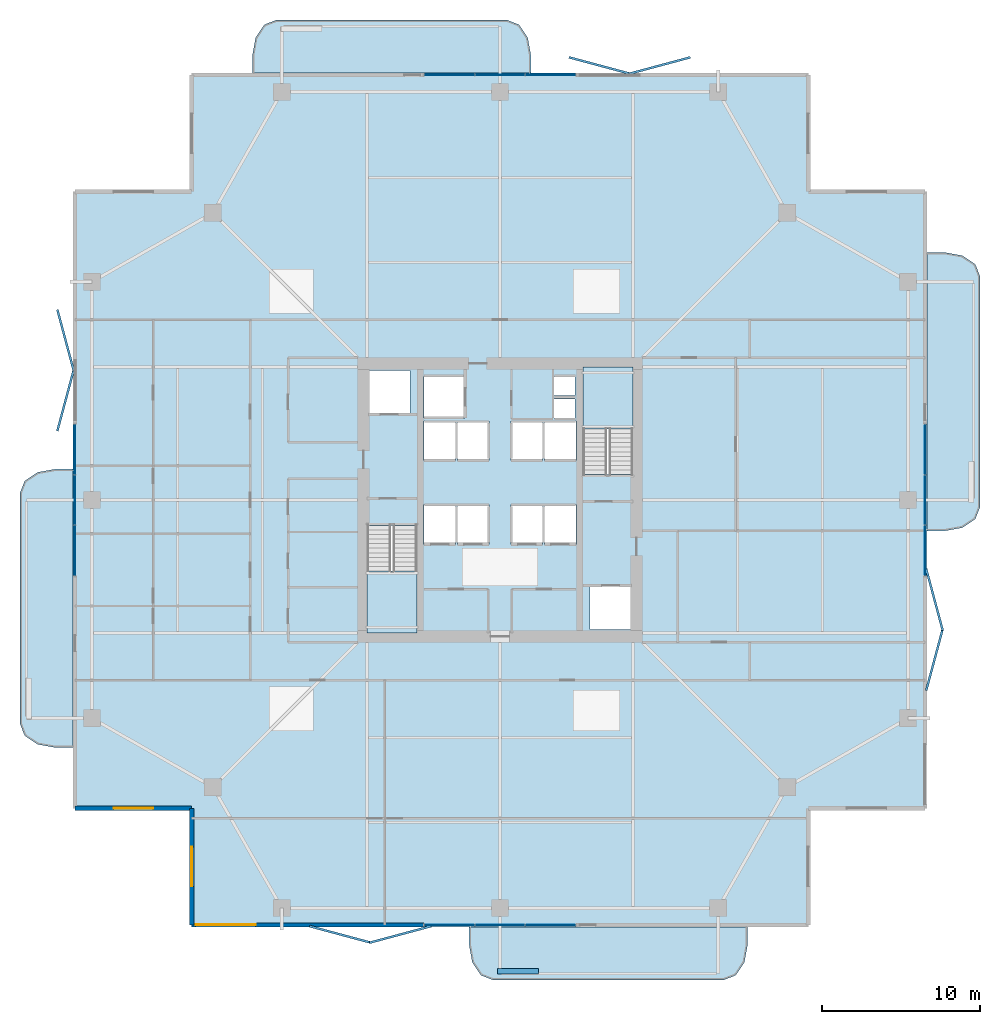
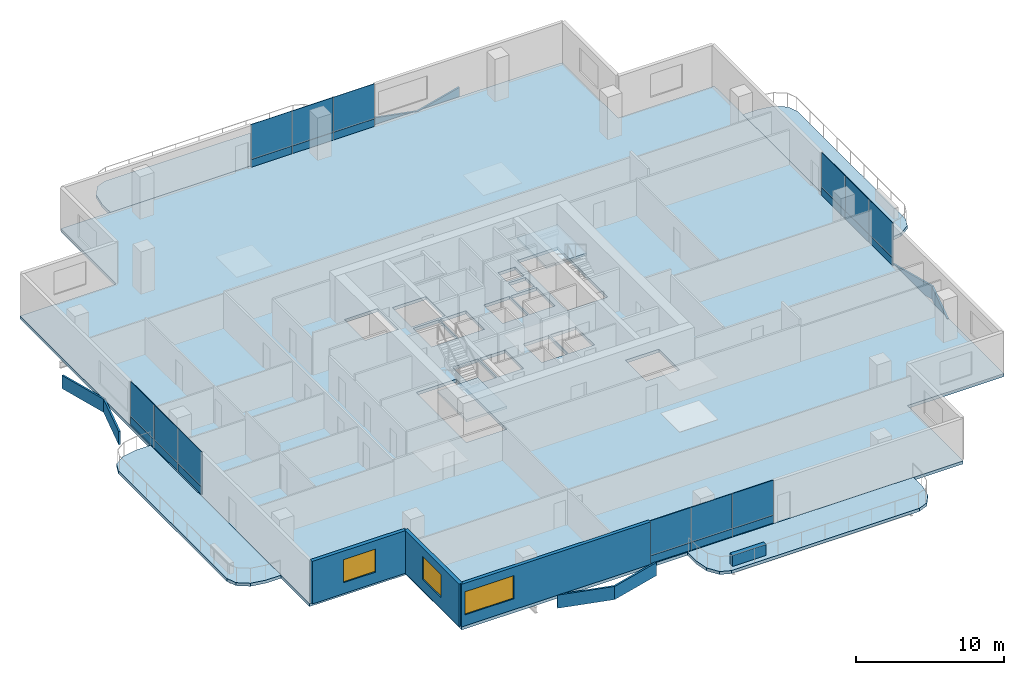
# One storey, part 16 of 24: 32 plates, 7 slabs, 4 walls, 3 windows, 3 openings, 6 elements without a shape of their own.
"""IFC4 building model written with IfcOpenShell, lengths in metres."""

from ifc_helpers import new_model, si_unit, direction, frame, frame_2d, origin, origin_2d, place, context, subcontext, project, spatial, polyline, rectangle, outline, extrude, material, layer, layer_set, type_object, element, fill, aggregate, save


model = new_model("IFC4")

# Units and contexts
model_context = context("Model", 3, precision=1e-05, world=origin(), true_north=direction((0.0, 1.0)))
body_context = subcontext(model_context, "Body", "Model", "MODEL_VIEW")
ifc_project = project(units=[si_unit("LENGTHUNIT", "METRE"), si_unit("AREAUNIT", "SQUARE_METRE"), si_unit("VOLUMEUNIT", "CUBIC_METRE"), si_unit("PLANEANGLEUNIT", "RADIAN"), si_unit("MASSUNIT", "GRAM", prefix="KILO")], contexts=[model_context])

# Site, building, storey
site_placement = place(None, origin())
site = spatial("IfcSite", under=ifc_project, at=site_placement, CompositionType="ELEMENT")
building_placement = place(site_placement, origin())
building = spatial("IfcBuilding", under=site, at=building_placement, Name="Belovzor Exchange Tower", CompositionType="ELEMENT")
storey_placement = place(building_placement, frame((0.0, 0.0, 214.949951171875)))
storey = spatial("IfcBuildingStorey", under=building, at=storey_placement, Name="L53", CompositionType="ELEMENT", Elevation=214.949951171875)

# Slab
ifc_material_1 = material(Name="Concrete C40/50", Category="concrete")
ifc_layer_1 = layer(ifc_material_1, 0.25)
ifc_layer_set_1 = layer_set([ifc_layer_1], Name="Concrete C40/50")
slab_type_1 = type_object("IfcSlabType", Name="Composite Concrete Floor Deck Slab 250", PredefinedType="FLOOR", material=ifc_layer_set_1)
slab_1_placement = place(storey_placement, frame((0.0, 0.0, -0.25)))
element("IfcSlab", 1, at=slab_1_placement, inside=storey, type_object=slab_type_1, Name="SL-F250 Structural Slab L53", PredefinedType="FLOOR", context=body_context, shape_type="SweptSolid", body=[
    extrude(outline(polyline([(9.300048828125, 1.800048828125), (48.300048828125, 1.800048828125), (48.300048828125, 9.300048828125), (55.800048828125, 9.300048828125), (55.800048828125, 48.300048828125), (48.300048828125, 48.300048828125), (48.300048828125, 55.800048828125), (9.300048828125, 55.800048828125), (9.300048828125, 48.300048828125), (1.800048828125, 48.300048828125), (1.800048828125, 9.300048828125), (9.300048828125, 9.300048828125), (9.300048828125, 1.800048828125)]), holes=[polyline([(20.39990234375, 27.175048828125), (20.39990234375, 20.39990234375), (23.550048828125, 20.39990234375), (23.550048828125, 27.175048828125), (20.39990234375, 27.175048828125)]), polyline([(37.199951171875, 30.425048828125), (37.199951171875, 37.199951171875), (34.050048828125, 37.199951171875), (34.050048828125, 30.425048828125), (37.199951171875, 30.425048828125)]), polyline([(20.5, 34.199951171875), (23.10009765625, 34.199951171875), (23.10009765625, 37.0), (20.5, 37.0), (20.5, 34.199951171875)]), polyline([(34.5, 20.60009765625), (37.10009765625, 20.60009765625), (37.10009765625, 23.39990234375), (34.5, 23.39990234375), (34.5, 20.60009765625)]), polyline([(24.0, 34.0), (26.60009765625, 34.0), (26.60009765625, 36.60009765625), (24.0, 36.60009765625), (24.0, 34.0)]), polyline([(24.0, 26.0), (26.0, 26.0), (26.0, 28.5), (24.0, 28.5), (24.0, 26.0)]), polyline([(26.10009765625, 26.0), (28.10009765625, 26.0), (28.10009765625, 28.5), (26.10009765625, 28.5), (26.10009765625, 26.0)]), polyline([(29.5, 26.0), (31.5, 26.0), (31.5, 28.5), (29.5, 28.5), (29.5, 26.0)]), polyline([(31.60009765625, 26.0), (33.60009765625, 26.0), (33.60009765625, 28.5), (31.60009765625, 28.5), (31.60009765625, 26.0)]), polyline([(24.0, 31.300048828125), (26.0, 31.300048828125), (26.0, 33.800048828125), (24.0, 33.800048828125), (24.0, 31.300048828125)]), polyline([(26.10009765625, 31.300048828125), (28.10009765625, 31.300048828125), (28.10009765625, 33.800048828125), (26.10009765625, 33.800048828125), (26.10009765625, 31.300048828125)]), polyline([(29.5, 31.300048828125), (31.5, 31.300048828125), (31.5, 33.800048828125), (29.5, 33.800048828125), (29.5, 31.300048828125)]), polyline([(31.60009765625, 31.300048828125), (33.60009765625, 31.300048828125), (33.60009765625, 33.800048828125), (31.60009765625, 33.800048828125), (31.60009765625, 31.300048828125)]), polyline([(32.199951171875, 34.0), (33.550048828125, 34.0), (33.550048828125, 35.199951171875), (32.199951171875, 35.199951171875), (32.199951171875, 34.0)]), polyline([(32.199951171875, 35.39990234375), (33.550048828125, 35.39990234375), (33.550048828125, 36.60009765625), (32.199951171875, 36.60009765625), (32.199951171875, 35.39990234375)])]), origin(), (0.0, 0.0, 1.0), 0.25),
])

# Curtain wall, plates
ifc_material_2 = material(Name="Anodised Aluminium Framing", Category="aluminium")
ifc_layer_2 = layer(ifc_material_2, 0.179931640625)
ifc_layer_set_2 = layer_set([ifc_layer_2], Name="Anodised Aluminium Framing")
curtain_wall_type = type_object("IfcCurtainWallType", Name="Recessed Loggia Low-Iron Triple-Glazed Curtain Wall", PredefinedType="NOTDEFINED", material=ifc_layer_set_2)
curtain_wall_1_placement = place(storey_placement, origin())
curtain_wall_1 = element("IfcCurtainWall", 2, at=curtain_wall_1_placement, inside=storey, type_object=curtain_wall_type, Name="CW3 Recessed Loggia Low-Iron Triple-Glazed Curtain Wall L53", PredefinedType="NOTDEFINED")
ifc_material_3 = material(Name="Solar-Control Triple Glazing", Category="glass")
ifc_layer_3 = layer(ifc_material_3, 0.0439453125)
ifc_layer_set_3 = layer_set([ifc_layer_3], Name="Solar-Control Triple Glazing")
plate_type_1 = type_object("IfcPlateType", Name="Insulated Solar Glazing Curtain Panel 44", PredefinedType="CURTAIN_PANEL", material=ifc_layer_set_3)
plate_1_placement = place(storey_placement, frame((32.0, 1.929931640625, 0.63232421875), z_axis=(0.0, 0.0, 1.0), x_axis=(-1.0, 0.0, 0.0)))
plate_1 = element("IfcPlate", 3, at=plate_1_placement, type_object=plate_type_1, Name="GLZ-44 Glazed Curtain Panel 1", PredefinedType="CURTAIN_PANEL", context=body_context, shape_type="SweptSolid", body=[
    extrude(rectangle(XDim=3.18408203125, YDim=0.0439453125, at=origin_2d()), origin(), (0.0, 0.0, 1.0), 2.867919921875),
])
plate_2_placement = place(storey_placement, frame((28.800048828125, 1.929931640625, 0.63232421875), z_axis=(0.0, 0.0, 1.0), x_axis=(-1.0, 0.0, 0.0)))
plate_2 = element("IfcPlate", 4, at=plate_2_placement, type_object=plate_type_1, Name="GLZ-44 Glazed Curtain Panel 2", PredefinedType="CURTAIN_PANEL", context=body_context, shape_type="SweptSolid", body=[
    extrude(rectangle(XDim=3.18408203125, YDim=0.0439453125, at=origin_2d()), origin(), (0.0, 0.0, 1.0), 2.867919921875),
])
plate_3_placement = place(storey_placement, frame((25.60009765625, 1.929931640625, 0.63232421875), z_axis=(0.0, 0.0, 1.0), x_axis=(-1.0, 0.0, 0.0)))
plate_3 = element("IfcPlate", 5, at=plate_3_placement, type_object=plate_type_1, Name="GLZ-44 Glazed Curtain Panel 3", PredefinedType="CURTAIN_PANEL", context=body_context, shape_type="SweptSolid", body=[
    extrude(rectangle(XDim=3.18408203125, YDim=0.0439453125, at=origin_2d()), origin(), (0.0, 0.0, 1.0), 2.867919921875),
])

curtain_wall_2_placement = place(storey_placement, origin())
curtain_wall_2 = element("IfcCurtainWall", 6, at=curtain_wall_2_placement, inside=storey, type_object=curtain_wall_type, Name="CW3 Recessed Loggia Low-Iron Triple-Glazed Curtain Wall L53", PredefinedType="NOTDEFINED")
plate_4_placement = place(storey_placement, frame((25.60009765625, 55.669921875, 0.63232421875), z_axis=(0.0, 0.0, 1.0), x_axis=(1.0, 0.0, 0.0)))
plate_4 = element("IfcPlate", 7, at=plate_4_placement, type_object=plate_type_1, Name="GLZ-44 Glazed Curtain Panel 1", PredefinedType="CURTAIN_PANEL", context=body_context, shape_type="SweptSolid", body=[
    extrude(rectangle(XDim=3.18408203125, YDim=0.0439453125, at=origin_2d()), origin(), (0.0, 0.0, 1.0), 2.867919921875),
])
plate_5_placement = place(storey_placement, frame((28.800048828125, 55.669921875, 0.63232421875), z_axis=(0.0, 0.0, 1.0), x_axis=(1.0, 0.0, 0.0)))
plate_5 = element("IfcPlate", 8, at=plate_5_placement, type_object=plate_type_1, Name="GLZ-44 Glazed Curtain Panel 2", PredefinedType="CURTAIN_PANEL", context=body_context, shape_type="SweptSolid", body=[
    extrude(rectangle(XDim=3.18408203125, YDim=0.0439453125, at=origin_2d()), origin(), (0.0, 0.0, 1.0), 2.867919921875),
])
plate_6_placement = place(storey_placement, frame((32.0, 55.669921875, 0.63232421875), z_axis=(0.0, 0.0, 1.0), x_axis=(1.0, 0.0, 0.0)))
plate_6 = element("IfcPlate", 9, at=plate_6_placement, type_object=plate_type_1, Name="GLZ-44 Glazed Curtain Panel 3", PredefinedType="CURTAIN_PANEL", context=body_context, shape_type="SweptSolid", body=[
    extrude(rectangle(XDim=3.18408203125, YDim=0.0439453125, at=origin_2d()), origin(), (0.0, 0.0, 1.0), 2.867919921875),
])

curtain_wall_3_placement = place(storey_placement, origin())
curtain_wall_3 = element("IfcCurtainWall", 10, at=curtain_wall_3_placement, inside=storey, type_object=curtain_wall_type, Name="CW3 Recessed Loggia Low-Iron Triple-Glazed Curtain Wall L53", PredefinedType="NOTDEFINED")
plate_7_placement = place(storey_placement, frame((1.929931640625, 25.60009765625, 0.63232421875), z_axis=(0.0, 0.0, 1.0), x_axis=(0.0, 1.0, 0.0)))
plate_7 = element("IfcPlate", 11, at=plate_7_placement, type_object=plate_type_1, Name="GLZ-44 Glazed Curtain Panel 1", PredefinedType="CURTAIN_PANEL", context=body_context, shape_type="SweptSolid", body=[
    extrude(rectangle(XDim=3.18408203125, YDim=0.0439453125, at=origin_2d()), origin(), (0.0, 0.0, 1.0), 2.867919921875),
])
plate_8_placement = place(storey_placement, frame((1.929931640625, 28.800048828125, 0.63232421875), z_axis=(0.0, 0.0, 1.0), x_axis=(0.0, 1.0, 0.0)))
plate_8 = element("IfcPlate", 12, at=plate_8_placement, type_object=plate_type_1, Name="GLZ-44 Glazed Curtain Panel 2", PredefinedType="CURTAIN_PANEL", context=body_context, shape_type="SweptSolid", body=[
    extrude(rectangle(XDim=3.18408203125, YDim=0.0439453125, at=origin_2d()), origin(), (0.0, 0.0, 1.0), 2.867919921875),
])
plate_9_placement = place(storey_placement, frame((1.929931640625, 32.0, 0.63232421875), z_axis=(0.0, 0.0, 1.0), x_axis=(0.0, 1.0, 0.0)))
plate_9 = element("IfcPlate", 13, at=plate_9_placement, type_object=plate_type_1, Name="GLZ-44 Glazed Curtain Panel 3", PredefinedType="CURTAIN_PANEL", context=body_context, shape_type="SweptSolid", body=[
    extrude(rectangle(XDim=3.18408203125, YDim=0.0439453125, at=origin_2d()), origin(), (0.0, 0.0, 1.0), 2.867919921875),
])

curtain_wall_4_placement = place(storey_placement, origin())
curtain_wall_4 = element("IfcCurtainWall", 14, at=curtain_wall_4_placement, inside=storey, type_object=curtain_wall_type, Name="CW3 Recessed Loggia Low-Iron Triple-Glazed Curtain Wall L53", PredefinedType="NOTDEFINED")
plate_10_placement = place(storey_placement, frame((55.669921875, 32.0, 0.63232421875), z_axis=(0.0, 0.0, 1.0), x_axis=(0.0, -1.0, 0.0)))
plate_10 = element("IfcPlate", 15, at=plate_10_placement, type_object=plate_type_1, Name="GLZ-44 Glazed Curtain Panel 1", PredefinedType="CURTAIN_PANEL", context=body_context, shape_type="SweptSolid", body=[
    extrude(rectangle(XDim=3.18408203125, YDim=0.0439453125, at=origin_2d()), origin(), (0.0, 0.0, 1.0), 2.867919921875),
])
plate_11_placement = place(storey_placement, frame((55.669921875, 28.800048828125, 0.63232421875), z_axis=(0.0, 0.0, 1.0), x_axis=(0.0, -1.0, 0.0)))
plate_11 = element("IfcPlate", 16, at=plate_11_placement, type_object=plate_type_1, Name="GLZ-44 Glazed Curtain Panel 2", PredefinedType="CURTAIN_PANEL", context=body_context, shape_type="SweptSolid", body=[
    extrude(rectangle(XDim=3.18408203125, YDim=0.0439453125, at=origin_2d()), origin(), (0.0, 0.0, 1.0), 2.867919921875),
])
plate_12_placement = place(storey_placement, frame((55.669921875, 25.60009765625, 0.63232421875), z_axis=(0.0, 0.0, 1.0), x_axis=(0.0, -1.0, 0.0)))
plate_12 = element("IfcPlate", 17, at=plate_12_placement, type_object=plate_type_1, Name="GLZ-44 Glazed Curtain Panel 3", PredefinedType="CURTAIN_PANEL", context=body_context, shape_type="SweptSolid", body=[
    extrude(rectangle(XDim=3.18408203125, YDim=0.0439453125, at=origin_2d()), origin(), (0.0, 0.0, 1.0), 2.867919921875),
])

# Plates
ifc_material_4 = material(Name="Extruded Architectural Terracotta", Category="masonry")
ifc_layer_4 = layer(ifc_material_4, 0.139892578125)
ifc_layer_set_4 = layer_set([ifc_layer_4], Name="Extruded Architectural Terracotta")
plate_type_2 = type_object("IfcPlateType", Name="Mid-Tower Folded Zigzag Terracotta Spandrel Louvre 120", PredefinedType="USERDEFINED", material=ifc_layer_set_4)
for number, where, z_axis, x_axis, name in (
    (18, (18.699951171875, 1.330078125, -1.06494140625), (0.0, 0.0, 1.0), (0.965812803231, -0.259240485101, 0.0), "LVR-ZZ2 Zigzag Terracotta Spandrel Louvre L53 S1A"),
    (19, (22.5, 1.330078125, -1.06494140625), (0.0, 0.0, 1.0), (0.965812803231, 0.259240485101, 0.0), "LVR-ZZ2 Zigzag Terracotta Spandrel Louvre L53 S1B"),
    (20, (56.27001953125, 18.699951171875, -1.06494140625), (0.0, 0.0, 1.0), (0.259240485101, 0.965812803231, 0.0), "LVR-ZZ2 Zigzag Terracotta Spandrel Louvre L53 E1A"),
    (21, (56.27001953125, 22.5, -1.06494140625), (0.0, 0.0, 1.0), (-0.259240485101, 0.965812803231, 0.0), "LVR-ZZ2 Zigzag Terracotta Spandrel Louvre L53 E1B"),
    (22, (35.10009765625, 56.27001953125, -1.06494140625), (0.0, 0.0, 1.0), (0.965812803231, -0.259240485101, 0.0), "LVR-ZZ2 Zigzag Terracotta Spandrel Louvre L53 N2A"),
    (23, (38.89990234375, 56.27001953125, -1.06494140625), (0.0, 0.0, 1.0), (0.965812803231, 0.259240485101, 0.0), "LVR-ZZ2 Zigzag Terracotta Spandrel Louvre L53 N2B"),
    (24, (1.330078125, 35.10009765625, -1.06494140625), (0.0, 0.0, 1.0), (0.259240485101, 0.965812803231, 0.0), "LVR-ZZ2 Zigzag Terracotta Spandrel Louvre L53 W2A"),
    (25, (1.330078125, 38.89990234375, -1.06494140625), (0.0, 0.0, 1.0), (-0.259240485101, 0.965812803231, 0.0), "LVR-ZZ2 Zigzag Terracotta Spandrel Louvre L53 W2B"),
):
    element("IfcPlate", number, at=place(storey_placement, frame(where, z_axis=z_axis, x_axis=x_axis)), inside=storey, type_object=plate_type_2, Name=name, ObjectType="SPANDREL_LOUVRE", PredefinedType="USERDEFINED", context=body_context, shape_type="SweptSolid", body=[
        extrude(rectangle(XDim=4.014892578125, YDim=0.139892578125, at=origin_2d()), origin(), (0.0, 0.0, 1.0), 1.080078125),
    ])

# Stair, slab
ifc_material_5 = material(Name="Concrete C40/50", Category="concrete")
stair_type = type_object("IfcStairType", Name="Reinforced Concrete Dogleg Escape Stair 1350", PredefinedType="HALF_TURN_STAIR", material=ifc_material_5)
stair_1_placement = place(storey_placement, origin())
stair_1 = element("IfcStair", 26, at=stair_1_placement, inside=storey, type_object=stair_type, Name="L53 ST-1", PredefinedType="HALF_TURN_STAIR")
ifc_material_6 = material(Name="Concrete C40/50", Category="concrete")
ifc_layer_5 = layer(ifc_material_6, 0.199951171875)
ifc_layer_set_5 = layer_set([ifc_layer_5], Name="Concrete C40/50")
slab_type_2 = type_object("IfcSlabType", Name="Reinforced Concrete Stair Half-Landing Slab 200", PredefinedType="LANDING", material=ifc_layer_set_5)
slab_2_placement = place(storey_placement, frame((0.0, 0.0, 1.675048828125)))
slab_2 = element("IfcSlab", 27, at=slab_2_placement, type_object=slab_type_2, Name="ST-1 landing 1", PredefinedType="LANDING", context=body_context, shape_type="SweptSolid", body=[
    extrude(outline(polyline([(20.39990234375, 24.300048828125), (20.39990234375, 20.39990234375), (23.550048828125, 20.39990234375), (23.550048828125, 24.300048828125), (20.39990234375, 24.300048828125)])), origin(), (0.0, 0.0, 1.0), 0.199951171875),
])
aggregate(stair_1, [slab_2])

stair_2_placement = place(storey_placement, origin())
stair_2 = element("IfcStair", 28, at=stair_2_placement, inside=storey, type_object=stair_type, Name="L53 ST-2", PredefinedType="HALF_TURN_STAIR")
slab_3_placement = place(storey_placement, frame((0.0, 0.0, 1.675048828125)))
slab_3 = element("IfcSlab", 29, at=slab_3_placement, type_object=slab_type_2, Name="ST-2 landing 1", PredefinedType="LANDING", context=body_context, shape_type="SweptSolid", body=[
    extrude(outline(polyline([(37.199951171875, 33.300048828125), (37.199951171875, 37.199951171875), (34.050048828125, 37.199951171875), (34.050048828125, 33.300048828125), (37.199951171875, 33.300048828125)])), origin(), (0.0, 0.0, 1.0), 0.199951171875),
])
aggregate(stair_2, [slab_3])

# Plate
ifc_material_7 = material(Name="Extruded Architectural Terracotta", Category="masonry")
ifc_layer_6 = layer(ifc_material_7, 0.090087890625)
ifc_layer_set_6 = layer_set([ifc_layer_6], Name="Extruded Architectural Terracotta")
plate_type_3 = type_object("IfcPlateType", Name="Terracotta Shadow-Box Spandrel Panel 90", PredefinedType="CURTAIN_PANEL", material=ifc_layer_set_6)
plate_13_placement = place(storey_placement, frame((32.0, 1.929931640625, 0.0), z_axis=(0.0, 0.0, 1.0), x_axis=(-1.0, 0.0, 0.0)))
plate_13 = element("IfcPlate", 30, at=plate_13_placement, type_object=plate_type_3, Name="SPD-90 Spandrel Panel 1", PredefinedType="CURTAIN_PANEL", context=body_context, shape_type="SweptSolid", body=[
    extrude(rectangle(XDim=3.18408203125, YDim=0.090087890625, at=origin_2d()), origin(), (0.0, 0.0, 1.0), 0.6279296875),
])

plate_14_placement = place(storey_placement, frame((28.800048828125, 1.929931640625, 0.0), z_axis=(0.0, 0.0, 1.0), x_axis=(-1.0, 0.0, 0.0)))
plate_14 = element("IfcPlate", 31, at=plate_14_placement, type_object=plate_type_3, Name="SPD-90 Spandrel Panel 2", PredefinedType="CURTAIN_PANEL", context=body_context, shape_type="SweptSolid", body=[
    extrude(rectangle(XDim=3.18408203125, YDim=0.090087890625, at=origin_2d()), origin(), (0.0, 0.0, 1.0), 0.6279296875),
])

plate_15_placement = place(storey_placement, frame((25.60009765625, 1.929931640625, 0.0), z_axis=(0.0, 0.0, 1.0), x_axis=(-1.0, 0.0, 0.0)))
plate_15 = element("IfcPlate", 32, at=plate_15_placement, type_object=plate_type_3, Name="SPD-90 Spandrel Panel 3", PredefinedType="CURTAIN_PANEL", context=body_context, shape_type="SweptSolid", body=[
    extrude(rectangle(XDim=3.18408203125, YDim=0.090087890625, at=origin_2d()), origin(), (0.0, 0.0, 1.0), 0.6279296875),
])

aggregate(curtain_wall_1, [plate_13, plate_1, plate_14, plate_2, plate_15, plate_3])

plate_16_placement = place(storey_placement, frame((25.60009765625, 55.669921875, 0.0), z_axis=(0.0, 0.0, 1.0), x_axis=(1.0, 0.0, 0.0)))
plate_16 = element("IfcPlate", 33, at=plate_16_placement, type_object=plate_type_3, Name="SPD-90 Spandrel Panel 1", PredefinedType="CURTAIN_PANEL", context=body_context, shape_type="SweptSolid", body=[
    extrude(rectangle(XDim=3.18408203125, YDim=0.090087890625, at=origin_2d()), origin(), (0.0, 0.0, 1.0), 0.6279296875),
])

plate_17_placement = place(storey_placement, frame((28.800048828125, 55.669921875, 0.0), z_axis=(0.0, 0.0, 1.0), x_axis=(1.0, 0.0, 0.0)))
plate_17 = element("IfcPlate", 34, at=plate_17_placement, type_object=plate_type_3, Name="SPD-90 Spandrel Panel 2", PredefinedType="CURTAIN_PANEL", context=body_context, shape_type="SweptSolid", body=[
    extrude(rectangle(XDim=3.18408203125, YDim=0.090087890625, at=origin_2d()), origin(), (0.0, 0.0, 1.0), 0.6279296875),
])

plate_18_placement = place(storey_placement, frame((32.0, 55.669921875, 0.0), z_axis=(0.0, 0.0, 1.0), x_axis=(1.0, 0.0, 0.0)))
plate_18 = element("IfcPlate", 35, at=plate_18_placement, type_object=plate_type_3, Name="SPD-90 Spandrel Panel 3", PredefinedType="CURTAIN_PANEL", context=body_context, shape_type="SweptSolid", body=[
    extrude(rectangle(XDim=3.18408203125, YDim=0.090087890625, at=origin_2d()), origin(), (0.0, 0.0, 1.0), 0.6279296875),
])

aggregate(curtain_wall_2, [plate_16, plate_4, plate_17, plate_5, plate_18, plate_6])

plate_19_placement = place(storey_placement, frame((1.929931640625, 25.60009765625, 0.0), z_axis=(0.0, 0.0, 1.0), x_axis=(0.0, 1.0, 0.0)))
plate_19 = element("IfcPlate", 36, at=plate_19_placement, type_object=plate_type_3, Name="SPD-90 Spandrel Panel 1", PredefinedType="CURTAIN_PANEL", context=body_context, shape_type="SweptSolid", body=[
    extrude(rectangle(XDim=3.18408203125, YDim=0.090087890625, at=origin_2d()), origin(), (0.0, 0.0, 1.0), 0.6279296875),
])

plate_20_placement = place(storey_placement, frame((1.929931640625, 28.800048828125, 0.0), z_axis=(0.0, 0.0, 1.0), x_axis=(0.0, 1.0, 0.0)))
plate_20 = element("IfcPlate", 37, at=plate_20_placement, type_object=plate_type_3, Name="SPD-90 Spandrel Panel 2", PredefinedType="CURTAIN_PANEL", context=body_context, shape_type="SweptSolid", body=[
    extrude(rectangle(XDim=3.18408203125, YDim=0.090087890625, at=origin_2d()), origin(), (0.0, 0.0, 1.0), 0.6279296875),
])

plate_21_placement = place(storey_placement, frame((1.929931640625, 32.0, 0.0), z_axis=(0.0, 0.0, 1.0), x_axis=(0.0, 1.0, 0.0)))
plate_21 = element("IfcPlate", 38, at=plate_21_placement, type_object=plate_type_3, Name="SPD-90 Spandrel Panel 3", PredefinedType="CURTAIN_PANEL", context=body_context, shape_type="SweptSolid", body=[
    extrude(rectangle(XDim=3.18408203125, YDim=0.090087890625, at=origin_2d()), origin(), (0.0, 0.0, 1.0), 0.6279296875),
])

aggregate(curtain_wall_3, [plate_19, plate_7, plate_20, plate_8, plate_21, plate_9])

plate_22_placement = place(storey_placement, frame((55.669921875, 32.0, 0.0), z_axis=(0.0, 0.0, 1.0), x_axis=(0.0, -1.0, 0.0)))
plate_22 = element("IfcPlate", 39, at=plate_22_placement, type_object=plate_type_3, Name="SPD-90 Spandrel Panel 1", PredefinedType="CURTAIN_PANEL", context=body_context, shape_type="SweptSolid", body=[
    extrude(rectangle(XDim=3.18408203125, YDim=0.090087890625, at=origin_2d()), origin(), (0.0, 0.0, 1.0), 0.6279296875),
])

plate_23_placement = place(storey_placement, frame((55.669921875, 28.800048828125, 0.0), z_axis=(0.0, 0.0, 1.0), x_axis=(0.0, -1.0, 0.0)))
plate_23 = element("IfcPlate", 40, at=plate_23_placement, type_object=plate_type_3, Name="SPD-90 Spandrel Panel 2", PredefinedType="CURTAIN_PANEL", context=body_context, shape_type="SweptSolid", body=[
    extrude(rectangle(XDim=3.18408203125, YDim=0.090087890625, at=origin_2d()), origin(), (0.0, 0.0, 1.0), 0.6279296875),
])

plate_24_placement = place(storey_placement, frame((55.669921875, 25.60009765625, 0.0), z_axis=(0.0, 0.0, 1.0), x_axis=(0.0, -1.0, 0.0)))
plate_24 = element("IfcPlate", 41, at=plate_24_placement, type_object=plate_type_3, Name="SPD-90 Spandrel Panel 3", PredefinedType="CURTAIN_PANEL", context=body_context, shape_type="SweptSolid", body=[
    extrude(rectangle(XDim=3.18408203125, YDim=0.090087890625, at=origin_2d()), origin(), (0.0, 0.0, 1.0), 0.6279296875),
])

aggregate(curtain_wall_4, [plate_22, plate_10, plate_23, plate_11, plate_24, plate_12])

# Slabs
ifc_material_8 = material(Name="Concrete C40/50", Category="concrete")
ifc_layer_7 = layer(ifc_material_8, 0.25)
ifc_layer_set_7 = layer_set([ifc_layer_7], Name="Concrete C40/50")
slab_type_3 = type_object("IfcSlabType", Name="Thermally Broken Planted Balcony Slab 250", PredefinedType="FLOOR", material=ifc_layer_set_7)
slab_4_placement = place(storey_placement, frame((0.0, 0.0, -0.25)))
element("IfcSlab", 42, at=slab_4_placement, inside=storey, type_object=slab_type_3, Name="SL-BAL220 Planted Balcony Loggia L53 South", PredefinedType="FLOOR", context=body_context, shape_type="SweptSolid", body=[
    extrude(outline(polyline([(26.85009765625, 1.81494140625), (26.85009765625, 0.64990234375), (27.051025390625, -0.449951171875), (27.60009765625, -1.2548828125), (28.35009765625, -1.550048828125), (42.949951171875, -1.550048828125), (43.699951171875, -1.2548828125), (44.2490234375, -0.449951171875), (44.449951171875, 0.64990234375), (44.449951171875, 1.81494140625), (26.85009765625, 1.81494140625)])), origin(), (0.0, 0.0, 1.0), 0.25),
])
slab_5_placement = place(storey_placement, frame((0.0, 0.0, -0.25)))
element("IfcSlab", 43, at=slab_5_placement, inside=storey, type_object=slab_type_3, Name="SL-BAL220 Planted Balcony Loggia L53 North", PredefinedType="FLOOR", context=body_context, shape_type="SweptSolid", body=[
    extrude(outline(polyline([(30.75, 55.784912109375), (30.75, 56.949951171875), (30.549072265625, 58.050048828125), (30.0, 58.85498046875), (29.25, 59.14990234375), (14.64990234375, 59.14990234375), (13.89990234375, 58.85498046875), (13.35107421875, 58.050048828125), (13.14990234375, 56.949951171875), (13.14990234375, 55.784912109375), (30.75, 55.784912109375)])), origin(), (0.0, 0.0, 1.0), 0.25),
])
slab_6_placement = place(storey_placement, frame((0.0, 0.0, -0.25)))
element("IfcSlab", 44, at=slab_6_placement, inside=storey, type_object=slab_type_3, Name="SL-BAL220 Planted Balcony Loggia L53 East", PredefinedType="FLOOR", context=body_context, shape_type="SweptSolid", body=[
    extrude(outline(polyline([(55.784912109375, 26.85009765625), (56.949951171875, 26.85009765625), (58.050048828125, 27.051025390625), (58.85498046875, 27.60009765625), (59.14990234375, 28.35009765625), (59.14990234375, 42.949951171875), (58.85498046875, 43.699951171875), (58.050048828125, 44.2490234375), (56.949951171875, 44.449951171875), (55.784912109375, 44.449951171875), (55.784912109375, 26.85009765625)])), origin(), (0.0, 0.0, 1.0), 0.25),
])
slab_7_placement = place(storey_placement, frame((0.0, 0.0, -0.25)))
element("IfcSlab", 45, at=slab_7_placement, inside=storey, type_object=slab_type_3, Name="SL-BAL220 Planted Balcony Loggia L53 West", PredefinedType="FLOOR", context=body_context, shape_type="SweptSolid", body=[
    extrude(outline(polyline([(1.81494140625, 30.75), (0.64990234375, 30.75), (-0.449951171875, 30.549072265625), (-1.2548828125, 30.0), (-1.550048828125, 29.25), (-1.550048828125, 14.64990234375), (-1.2548828125, 13.89990234375), (-0.449951171875, 13.35107421875), (0.64990234375, 13.14990234375), (1.81494140625, 13.14990234375), (1.81494140625, 30.75)])), origin(), (0.0, 0.0, 1.0), 0.25),
])

# Wall, opening, window
ifc_material_9 = material(Name="Precast concrete C40/50", Category="concrete")
ifc_layer_8 = layer(ifc_material_9, 0.280029296875)
ifc_layer_set_8 = layer_set([ifc_layer_8], Name="Precast concrete C40/50")
wall_type_1 = type_object("IfcWallType", Name="Precast Concrete Notched Corner Frame Wall 280", PredefinedType="SOLIDWALL", material=ifc_layer_set_8)
wall_1_placement = place(storey_placement, frame((9.300048828125, 1.929931640625, 0.0), z_axis=(0.0, 0.0, 1.0), x_axis=(0.0, 1.0, 0.0)))
wall_1 = element("IfcWall", 46, at=wall_1_placement, inside=storey, type_object=wall_type_1, Name="W-CRN280 Precast Concrete Notched Corner Frame Wall 280 L53", PredefinedType="SOLIDWALL", context=body_context, shape_type="SweptSolid", body=[
    extrude(rectangle(XDim=7.3701171875, YDim=0.280029296875, at=frame_2d((3.68505859375, 0.0))), origin(), (0.0, 0.0, 1.0), 3.5),
])
opening_1_placement = place(wall_1_placement, frame((2.43505859375, 0.0, 0.89990234375)))
opening_1 = element("IfcOpeningElement", 47, at=opening_1_placement, cuts=wall_1, Name="Opening WN-CRN250", PredefinedType="OPENING", context=body_context, shape_type="SweptSolid", body=[
    extrude(rectangle(XDim=2.5, YDim=1.89990234375, at=frame_2d((1.25, 0.949951171875))), frame((0.0, 0.14990234375, 0.0), z_axis=(0.0, -1.0, 0.0), x_axis=(1.0, 0.0, 0.0)), (0.0, 0.0, 1.0), 0.300048828125),
])
ifc_material_10 = material(Name="Thermally Broken Aluminium and Triple Glazing", Category="aluminium")
window_type_1 = type_object("IfcWindowType", Name="Streamline Moderne Corner Wrap Ribbon Window 2500x1900", PartitioningType="SINGLE_PANEL", PredefinedType="WINDOW", material=ifc_material_10)
window_1_placement = place(opening_1_placement, origin())
window_1 = element("IfcWindow", 48, at=window_1_placement, inside=storey, type_object=window_type_1, Name="WN-CRN250 Streamline Moderne Corner Wrap Ribbon Window 2500x1900", OverallHeight=1.89990234375, OverallWidth=2.5, PartitioningType="SINGLE_PANEL", PredefinedType="WINDOW", context=body_context, shape_type="SweptSolid", body=[
    extrude(rectangle(XDim=2.5, YDim=1.89990234375, at=frame_2d((1.25, 0.949951171875))), frame((0.0, 0.030029296875, 0.0), z_axis=(0.0, -1.0, 0.0), x_axis=(1.0, 0.0, 0.0)), (0.0, 0.0, 1.0), 0.06005859375),
])
fill(opening_1, window_1)

wall_2_placement = place(storey_placement, frame((9.300048828125, 9.300048828125, 0.0), z_axis=(0.0, 0.0, 1.0), x_axis=(-1.0, 0.0, 0.0)))
wall_2 = element("IfcWall", 49, at=wall_2_placement, inside=storey, type_object=wall_type_1, Name="W-CRN280 Precast Concrete Notched Corner Frame Wall 280 L53", PredefinedType="SOLIDWALL", context=body_context, shape_type="SweptSolid", body=[
    extrude(rectangle(XDim=7.3701171875, YDim=0.280029296875, at=frame_2d((3.68505859375, 0.0))), origin(), (0.0, 0.0, 1.0), 3.5),
])
opening_2_placement = place(wall_2_placement, frame((2.43505859375, 0.0, 0.89990234375)))
opening_2 = element("IfcOpeningElement", 50, at=opening_2_placement, cuts=wall_2, Name="Opening WN-CRN250", PredefinedType="OPENING", context=body_context, shape_type="SweptSolid", body=[
    extrude(rectangle(XDim=2.5, YDim=1.89990234375, at=frame_2d((1.25, 0.949951171875))), frame((0.0, 0.14990234375, 0.0), z_axis=(0.0, -1.0, 0.0), x_axis=(1.0, 0.0, 0.0)), (0.0, 0.0, 1.0), 0.300048828125),
])
window_2_placement = place(opening_2_placement, origin())
window_2 = element("IfcWindow", 51, at=window_2_placement, inside=storey, type_object=window_type_1, Name="WN-CRN250 Streamline Moderne Corner Wrap Ribbon Window 2500x1900", OverallHeight=1.89990234375, OverallWidth=2.5, PartitioningType="SINGLE_PANEL", PredefinedType="WINDOW", context=body_context, shape_type="SweptSolid", body=[
    extrude(rectangle(XDim=2.5, YDim=1.89990234375, at=frame_2d((1.25, 0.949951171875))), frame((0.0, 0.030029296875, 0.0), z_axis=(0.0, -1.0, 0.0), x_axis=(1.0, 0.0, 0.0)), (0.0, 0.0, 1.0), 0.06005859375),
])
fill(opening_2, window_2)

ifc_material_11 = material(Name="Precast concrete C40/50", Category="concrete")
ifc_layer_9 = layer(ifc_material_11, 0.260009765625)
ifc_layer_set_9 = layer_set([ifc_layer_9], Name="Precast concrete C40/50")
wall_type_2 = type_object("IfcWallType", Name="Precast Concrete Perimeter Loggia Frame Wall 260", PredefinedType="SOLIDWALL", material=ifc_layer_set_9)
wall_3_placement = place(storey_placement, frame((24.0, 1.929931640625, 0.0), z_axis=(0.0, 0.0, 1.0), x_axis=(-1.0, 0.0, 0.0)))
wall_3 = element("IfcWall", 52, at=wall_3_placement, inside=storey, type_object=wall_type_2, Name="W-EXT260 Precast Concrete Perimeter Loggia Frame Wall 260 L53", PredefinedType="SOLIDWALL", context=body_context, shape_type="SweptSolid", body=[
    extrude(rectangle(XDim=14.699951171875, YDim=0.260009765625, at=frame_2d((7.35009765625, 0.0))), origin(), (0.0, 0.0, 1.0), 3.5),
])
opening_3_placement = place(wall_3_placement, frame((10.64990234375, 0.0, 0.89990234375)))
opening_3 = element("IfcOpeningElement", 53, at=opening_3_placement, cuts=wall_3, Name="Opening WN-RIB380", PredefinedType="OPENING", context=body_context, shape_type="SweptSolid", body=[
    extrude(rectangle(XDim=3.800048828125, YDim=1.89990234375, at=frame_2d((1.89990234375, 0.949951171875))), frame((0.0, 0.139892578125, 0.0), z_axis=(0.0, -1.0, 0.0), x_axis=(1.0, 0.0, 0.0)), (0.0, 0.0, 1.0), 0.280029296875),
])
ifc_material_12 = material(Name="Thermally Broken Aluminium and Triple Glazing", Category="aluminium")
window_type_2 = type_object("IfcWindowType", Name="Streamline Moderne Horizontal Ribbon Window 3800x1900", PartitioningType="SINGLE_PANEL", PredefinedType="WINDOW", material=ifc_material_12)
window_3_placement = place(opening_3_placement, origin())
window_3 = element("IfcWindow", 54, at=window_3_placement, inside=storey, type_object=window_type_2, Name="WN-RIB380 Streamline Moderne Horizontal Ribbon Window 3800x1900", OverallHeight=1.89990234375, OverallWidth=3.800048828125, PartitioningType="SINGLE_PANEL", PredefinedType="WINDOW", context=body_context, shape_type="SweptSolid", body=[
    extrude(rectangle(XDim=3.800048828125, YDim=1.89990234375, at=frame_2d((1.89990234375, 0.949951171875))), frame((0.0, 0.030029296875, 0.0), z_axis=(0.0, -1.0, 0.0), x_axis=(1.0, 0.0, 0.0)), (0.0, 0.0, 1.0), 0.06005859375),
])
fill(opening_3, window_3)

# Wall
ifc_material_13 = material(Name="Precast concrete C40/50", Category="concrete")
ifc_layer_10 = layer(ifc_material_13, 0.35009765625)
ifc_layer_set_10 = layer_set([ifc_layer_10], Name="Precast concrete C40/50")
wall_type_3 = type_object("IfcWallType", Name="Precast Concrete Structural Tree Planter Trough 350", PredefinedType="PARAPET", material=ifc_layer_set_10)
wall_4_placement = place(storey_placement, frame((28.64990234375, -1.0, 0.0), z_axis=(0.0, 0.0, 1.0), x_axis=(1.0, 0.0, 0.0)))
element("IfcWall", 55, at=wall_4_placement, inside=storey, type_object=wall_type_3, Name="PT-350 Precast Concrete Structural Tree Planter Trough 350 L53", PredefinedType="PARAPET", context=body_context, shape_type="SweptSolid", body=[
    extrude(rectangle(XDim=2.60009765625, YDim=0.35009765625, at=frame_2d((1.300048828125, 0.0))), origin(), (0.0, 0.0, 1.0), 0.900146484375),
])

save(model, "model.ifc")
